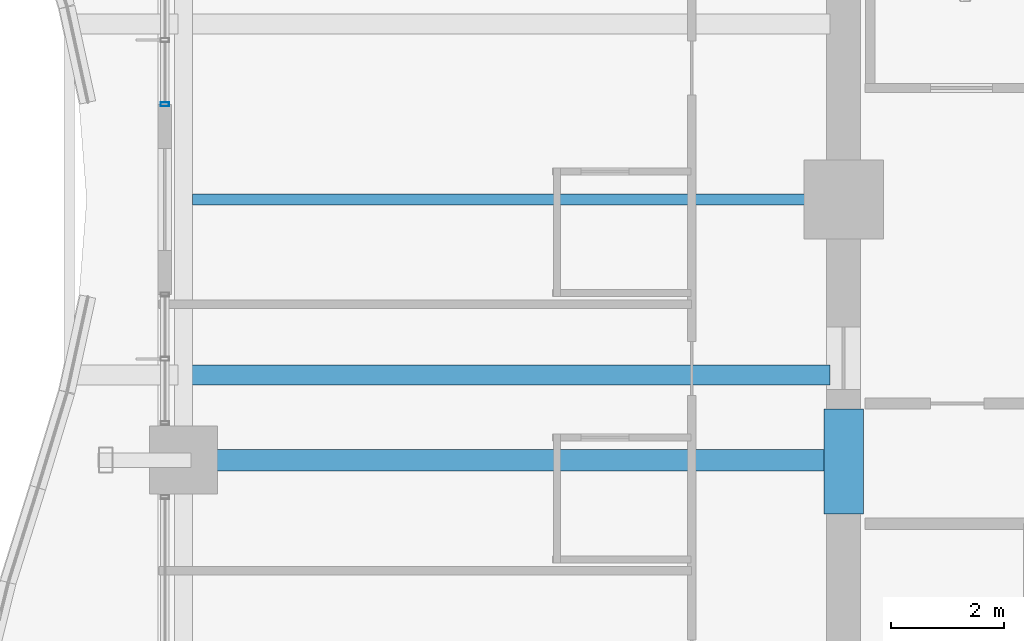
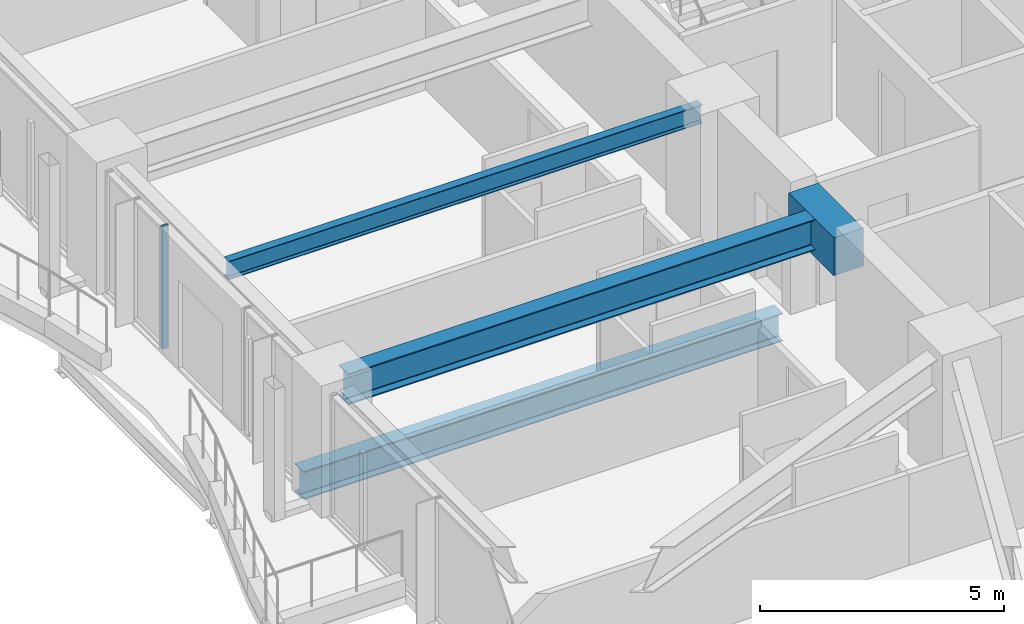
# One storey, part 9 of 36: 4 beams, 1 member, 1 element without a shape of its own.
"""IFC4 building model written with IfcOpenShell, lengths in metres."""

from ifc_helpers import new_model, si_unit, direction, frame, origin, origin_2d, place, context, subcontext, project, spatial, rectangle, hollow_rectangle, i_section, extrude, material, material_profile, profile_set, type_object, element, aggregate, save


model = new_model("IFC4")

# Units and contexts
model_context = context("Model", 3, precision=1e-05, world=origin(), true_north=direction((0.0, 1.0)))
body_context = subcontext(model_context, "Body", "Model", "MODEL_VIEW")
ifc_project = project(units=[si_unit("LENGTHUNIT", "METRE"), si_unit("AREAUNIT", "SQUARE_METRE"), si_unit("VOLUMEUNIT", "CUBIC_METRE"), si_unit("PLANEANGLEUNIT", "RADIAN"), si_unit("MASSUNIT", "GRAM", prefix="KILO")], contexts=[model_context])

# Site, building, storey
site_placement = place(None, origin())
site = spatial("IfcSite", under=ifc_project, at=site_placement, CompositionType="ELEMENT")
building_placement = place(site_placement, origin())
building = spatial("IfcBuilding", under=site, at=building_placement, Name="Kolvaren Belvedere", CompositionType="ELEMENT")
storey_placement = place(building_placement, frame((0.0, 0.0, 46.89990234375)))
storey = spatial("IfcBuildingStorey", under=building, at=storey_placement, Name="L13", CompositionType="ELEMENT", Elevation=46.89990234375)

# Beams
ifc_material_1 = material(Name="Structural steel ASTM A992 Grade 50", Category="steel")
ifc_material_profile_1 = material_profile(ifc_material_1, i_section(OverallWidth=0.35498046875, OverallDepth=0.696044921875, WebThickness=0.015380859375, FlangeThickness=0.02490234375, FilletRadius=0.02197265625, at=origin_2d()), Name="W27X146")
ifc_profile_set_1 = profile_set([ifc_material_profile_1], Name="Structural steel ASTM A992 Grade 50")
beam_type_1 = type_object("IfcBeamType", Name="BM-GIRD-W27X146", PredefinedType="BEAM", material=ifc_profile_set_1)
beam_1_placement = place(storey_placement, frame((-10.139892578125, -3.10009765625, -0.587890625), z_axis=(-1.0, 0.0, 0.0), x_axis=(0.0, -1.0, 0.0)))
element("IfcBeam", 1, at=beam_1_placement, inside=storey, type_object=beam_type_1, Name="L13 Balcony Interior Back-Span Girder BAL-W-1", PredefinedType="BEAM", context=body_context, shape_type="SweptSolid", body=[
    extrude(i_section(OverallWidth=0.35498046875, OverallDepth=0.696044921875, WebThickness=0.015380859375, FlangeThickness=0.02490234375, FilletRadius=0.02197265625, at=origin_2d()), origin(), (0.0, 0.0, 1.0), 11.315185546875),
])
ifc_material_2 = material(Name="Structural steel ASTM A992 Grade 50", Category="steel")
ifc_material_profile_2 = material_profile(ifc_material_2, i_section(OverallWidth=0.381103515625, OverallDepth=0.77294921875, WebThickness=0.0166015625, FlangeThickness=0.027099609375, FilletRadius=0.02392578125, at=origin_2d()), Name="W30X173")
ifc_profile_set_2 = profile_set([ifc_material_profile_2], Name="Structural steel ASTM A992 Grade 50")
beam_type_2 = type_object("IfcBeamType", Name="BM-GIRD-W30X173", PredefinedType="BEAM", material=ifc_profile_set_2)
beam_2_placement = place(storey_placement, frame((-10.199951171875, -4.60009765625, 2.673583984375), z_axis=(-1.0, 0.0, 0.0), x_axis=(0.0, -1.0, 0.0)))
element("IfcBeam", 2, at=beam_2_placement, inside=storey, type_object=beam_type_2, Name="L13 West Radial Girder M", PredefinedType="BEAM", context=body_context, shape_type="SweptSolid", body=[
    extrude(i_section(OverallWidth=0.381103515625, OverallDepth=0.77294921875, WebThickness=0.0166015625, FlangeThickness=0.027099609375, FilletRadius=0.02392578125, at=origin_2d()), origin(), (0.0, 0.0, 1.0), 11.080078125),
])
ifc_material_3 = material(Name="Structural steel ASTM A992 Grade 50", Category="steel")
ifc_material_profile_3 = material_profile(ifc_material_3, i_section(OverallWidth=0.19091796875, OverallDepth=0.4599609375, WebThickness=0.010009765625, FlangeThickness=0.01611328125, FilletRadius=0.014892578125, at=origin_2d()), Name="W18X55")
ifc_profile_set_3 = profile_set([ifc_material_profile_3], Name="Structural steel ASTM A992 Grade 50")
beam_type_3 = type_object("IfcBeamType", Name="BM-JOIST-W18X55", PredefinedType="BEAM", material=ifc_profile_set_3)
beam_3_placement = place(storey_placement, frame((-10.199951171875, 0.0, 2.830078125), z_axis=(-1.0, 0.0, 0.0), x_axis=(0.0, -1.0, 0.0)))
element("IfcBeam", 3, at=beam_3_placement, inside=storey, type_object=beam_type_3, Name="L13 West Centre Floor Beam", PredefinedType="BEAM", context=body_context, shape_type="SweptSolid", body=[
    extrude(i_section(OverallWidth=0.19091796875, OverallDepth=0.4599609375, WebThickness=0.010009765625, FlangeThickness=0.01611328125, FilletRadius=0.014892578125, at=origin_2d()), origin(), (0.0, 0.0, 1.0), 11.1875),
])
ifc_material_4 = material(Name="Concrete C60/75", Category="concrete")
ifc_material_profile_4 = material_profile(ifc_material_4, rectangle(XDim=0.699951171875, YDim=0.949951171875, at=origin_2d()), Name="RC 700X950")
ifc_profile_set_4 = profile_set([ifc_material_profile_4], Name="Concrete C60/75")
beam_type_4 = type_object("IfcBeamType", Name="BM-LINT-950", PredefinedType="LINTEL", material=ifc_profile_set_4)
beam_4_placement = place(storey_placement, frame((-9.89990234375, -5.550048828125, 2.585205078125), z_axis=(0.0, 1.0, 0.0), x_axis=(-1.0, 0.0, 0.0)))
element("IfcBeam", 4, at=beam_4_placement, inside=storey, type_object=beam_type_4, Name="L13 West Core Coupling Lintel", PredefinedType="LINTEL", context=body_context, shape_type="SweptSolid", body=[
    extrude(rectangle(XDim=0.699951171875, YDim=0.949951171875, at=origin_2d()), origin(), (0.0, 0.0, 1.0), 1.85009765625),
])

# Curtain wall, member
ifc_material_5 = material(Name="Anodised pale-metal aluminium AA 6063-T6", Category="aluminium")
curtain_wall_type = type_object("IfcCurtainWallType", Name="CW-Z1-LOW", PredefinedType="NOTDEFINED", material=ifc_material_5)
curtain_wall_placement = place(storey_placement, origin())
curtain_wall = element("IfcCurtainWall", 5, at=curtain_wall_placement, inside=storey, type_object=curtain_wall_type, Name="L13 Unitised Curtain Wall FCW-L13-W2-B1", PredefinedType="NOTDEFINED")
ifc_material_6 = material(Name="Anodised pale-metal aluminium AA 6063-T6", Category="aluminium")
ifc_material_profile_5 = material_profile(ifc_material_6, hollow_rectangle(XDim=0.070068359375, YDim=0.14990234375, WallThickness=0.004150390625, at=origin_2d()), Name="ALU-MUL-150X70")
ifc_profile_set_5 = profile_set([ifc_material_profile_5], Name="Anodised pale-metal aluminium AA 6063-T6")
member_type = type_object("IfcMemberType", Name="CW-MUL-150", PredefinedType="MULLION", material=ifc_profile_set_5)
member_placement = place(storey_placement, frame((-21.8798828125, 1.679931640625, 0.0), z_axis=(0.0, 0.0, 1.0), x_axis=(0.0, 1.0, 0.0)))
member = element("IfcMember", 6, at=member_placement, type_object=member_type, Name="FCW-L13-W2-B1 Unitised Mullion 1", PredefinedType="MULLION", context=body_context, shape_type="SweptSolid", body=[
    extrude(hollow_rectangle(XDim=0.070068359375, YDim=0.14990234375, WallThickness=0.004150390625, at=origin_2d()), origin(), (0.0, 0.0, 1.0), 3.06005859375),
])
aggregate(curtain_wall, [member])

save(model, "model.ifc")
